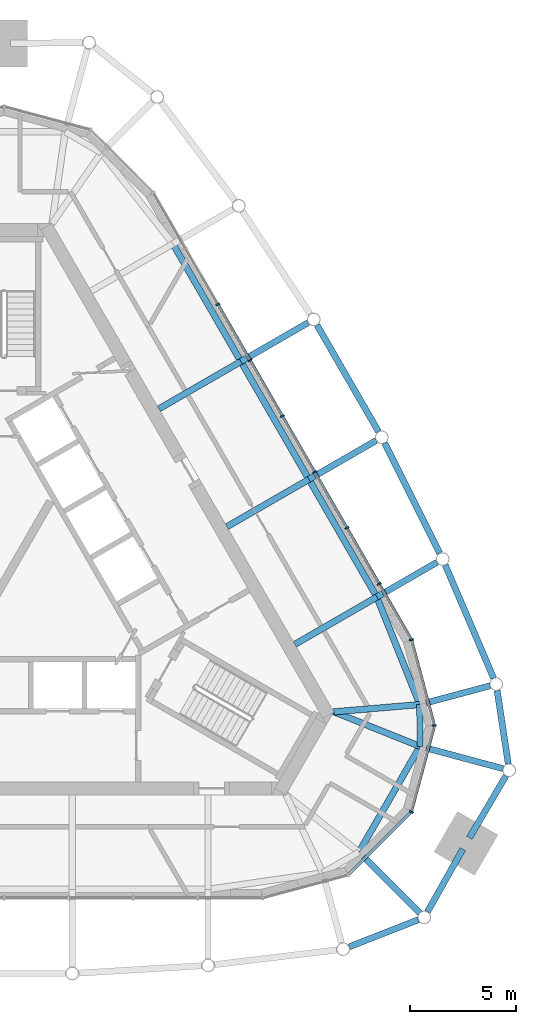
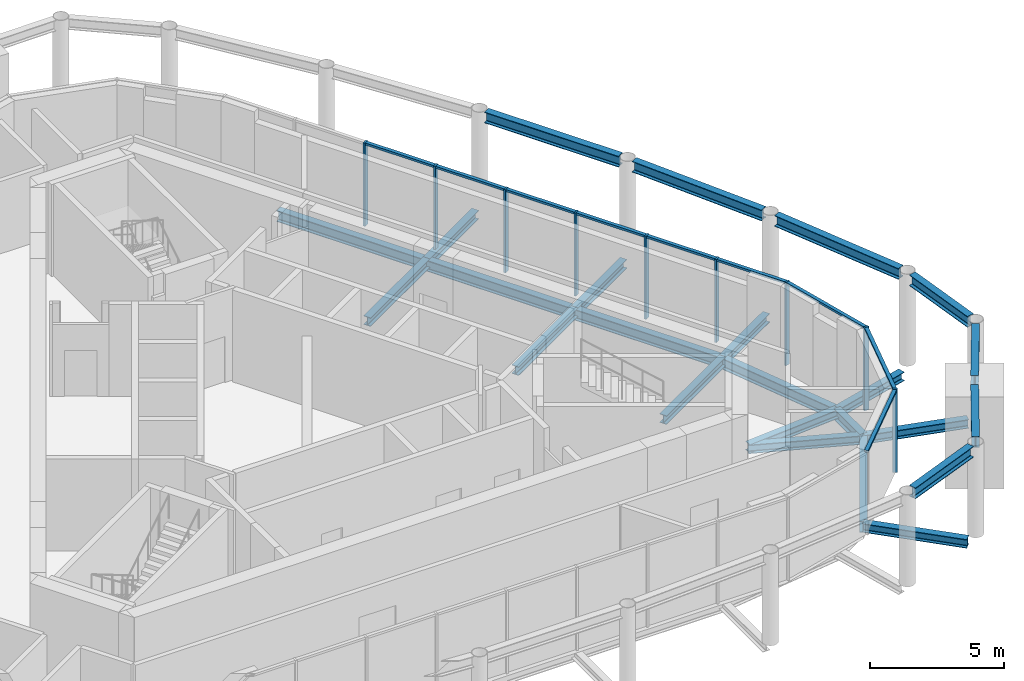
# One storey, part 4 of 11: 24 beams, 18 members, 2 elements without a shape of their own.
"""IFC4 building model written with IfcOpenShell, lengths in metres."""

from ifc_helpers import new_model, si_unit, direction, frame, origin, origin_2d, place, context, subcontext, project, spatial, rectangle, i_section, extrude, material, material_profile, profile_set, type_object, element, aggregate, save


model = new_model("IFC4")

# Units and contexts
model_context = context("Model", 3, precision=1e-05, world=origin(), true_north=direction((0.0, 1.0)))
body_context = subcontext(model_context, "Body", "Model", "MODEL_VIEW")
ifc_project = project(units=[si_unit("LENGTHUNIT", "METRE"), si_unit("AREAUNIT", "SQUARE_METRE"), si_unit("VOLUMEUNIT", "CUBIC_METRE"), si_unit("PLANEANGLEUNIT", "RADIAN"), si_unit("MASSUNIT", "GRAM", prefix="KILO")], contexts=[model_context])

# Site, building, storey
site_placement = place(None, origin())
site = spatial("IfcSite", under=ifc_project, at=site_placement, CompositionType="ELEMENT")
building_placement = place(site_placement, origin())
building = spatial("IfcBuilding", under=site, at=building_placement, Name="Mestral Congress Tower", CompositionType="ELEMENT")
storey_placement = place(building_placement, frame((0.0, 0.0, 344.39990234375)))
storey = spatial("IfcBuildingStorey", under=building, at=storey_placement, Name="L80", CompositionType="ELEMENT", Elevation=344.39990234375)

# Curtain wall, members
ifc_material_1 = material(Name="Glazed ceramic", Category="masonry")
curtain_wall_type = type_object("IfcCurtainWallType", Name="Facade plant louvre screen", PredefinedType="USERDEFINED", material=ifc_material_1)
placement = place(storey_placement, origin())
curtain_wall_1 = element("IfcCurtainWall", 1, at=placement, inside=storey, type_object=curtain_wall_type, Name="Plant louvre screen corner 1", ObjectType="CURTAIN WALL", PredefinedType="USERDEFINED")
ifc_material_2 = material(Name="Anodised aluminium", Category="aluminium")
ifc_material_profile_1 = material_profile(ifc_material_2, rectangle(XDim=0.199951171875, YDim=0.080078125, at=origin_2d()), Name="CW6 mullion 200 x 80")
ifc_profile_set_1 = profile_set([ifc_material_profile_1], Name="Anodised aluminium")
member_type_1 = type_object("IfcMemberType", Name="Facade plant louvre screen mullion", PredefinedType="MULLION", material=ifc_profile_set_1)
member_1_placement = place(storey_placement, frame((19.142333984375, -11.0517578125, 0.0), z_axis=(0.0, 0.0, 1.0), x_axis=(0.866025403784, -0.5, 0.0)))
member_1 = element("IfcMember", 2, at=member_1_placement, type_object=member_type_1, Name="Facade plant louvre screen mullion", PredefinedType="MULLION", context=body_context, shape_type="SweptSolid", body=[
    extrude(rectangle(XDim=0.199951171875, YDim=0.080078125, at=origin_2d()), origin(), (0.0, 0.0, 1.0), 3.800048828125),
])
member_2_placement = place(storey_placement, frame((20.227783203125, -7.0, 0.0), z_axis=(0.0, 0.0, 1.0), x_axis=(1.0, 0.0, 0.0)))
member_2 = element("IfcMember", 3, at=member_2_placement, type_object=member_type_1, Name="Facade plant louvre screen mullion", PredefinedType="MULLION", context=body_context, shape_type="SweptSolid", body=[
    extrude(rectangle(XDim=0.199951171875, YDim=0.080078125, at=origin_2d()), origin(), (0.0, 0.0, 1.0), 3.800048828125),
])
member_3_placement = place(storey_placement, frame((19.145751953125, -2.96142578125, 0.0), z_axis=(0.0, 0.0, 1.0), x_axis=(0.965925826289, 0.258819045103, 0.0)))
member_3 = element("IfcMember", 4, at=member_3_placement, type_object=member_type_1, Name="Facade plant louvre screen mullion", PredefinedType="MULLION", context=body_context, shape_type="SweptSolid", body=[
    extrude(rectangle(XDim=0.199951171875, YDim=0.080078125, at=origin_2d()), origin(), (0.0, 0.0, 1.0), 3.800048828125),
])

curtain_wall_2 = element("IfcCurtainWall", 5, at=placement, inside=storey, type_object=curtain_wall_type, Name="Plant louvre screen side 2", ObjectType="CURTAIN WALL", PredefinedType="USERDEFINED")
member_4_placement = place(storey_placement, frame((17.628662109375, -0.33349609375, 0.0), z_axis=(0.0, 0.0, 1.0), x_axis=(0.866024531118, 0.500001511499, 0.0)))
member_4 = element("IfcMember", 6, at=member_4_placement, type_object=member_type_1, Name="Facade plant louvre screen mullion", PredefinedType="MULLION", context=body_context, shape_type="SweptSolid", body=[
    extrude(rectangle(XDim=0.199951171875, YDim=0.080078125, at=origin_2d()), origin(), (0.0, 0.0, 1.0), 3.800048828125),
])
member_5_placement = place(storey_placement, frame((16.111328125, 2.294189453125, 0.0), z_axis=(0.0, 0.0, 1.0), x_axis=(0.866024531118, 0.500001511499, 0.0)))
member_5 = element("IfcMember", 7, at=member_5_placement, type_object=member_type_1, Name="Facade plant louvre screen mullion", PredefinedType="MULLION", context=body_context, shape_type="SweptSolid", body=[
    extrude(rectangle(XDim=0.199951171875, YDim=0.080078125, at=origin_2d()), origin(), (0.0, 0.0, 1.0), 3.800048828125),
])
member_6_placement = place(storey_placement, frame((14.59423828125, 4.922119140625, 0.0), z_axis=(0.0, 0.0, 1.0), x_axis=(0.866024531118, 0.500001511499, 0.0)))
member_6 = element("IfcMember", 8, at=member_6_placement, type_object=member_type_1, Name="Facade plant louvre screen mullion", PredefinedType="MULLION", context=body_context, shape_type="SweptSolid", body=[
    extrude(rectangle(XDim=0.199951171875, YDim=0.080078125, at=origin_2d()), origin(), (0.0, 0.0, 1.0), 3.800048828125),
])
member_7_placement = place(storey_placement, frame((13.076904296875, 7.550048828125, 0.0), z_axis=(0.0, 0.0, 1.0), x_axis=(0.866024531118, 0.500001511499, 0.0)))
member_7 = element("IfcMember", 9, at=member_7_placement, type_object=member_type_1, Name="Facade plant louvre screen mullion", PredefinedType="MULLION", context=body_context, shape_type="SweptSolid", body=[
    extrude(rectangle(XDim=0.199951171875, YDim=0.080078125, at=origin_2d()), origin(), (0.0, 0.0, 1.0), 3.800048828125),
])
member_8_placement = place(storey_placement, frame((11.559814453125, 10.177978515625, 0.0), z_axis=(0.0, 0.0, 1.0), x_axis=(0.866024531118, 0.500001511499, 0.0)))
member_8 = element("IfcMember", 10, at=member_8_placement, type_object=member_type_1, Name="Facade plant louvre screen mullion", PredefinedType="MULLION", context=body_context, shape_type="SweptSolid", body=[
    extrude(rectangle(XDim=0.199951171875, YDim=0.080078125, at=origin_2d()), origin(), (0.0, 0.0, 1.0), 3.800048828125),
])
member_9_placement = place(storey_placement, frame((10.04248046875, 12.8056640625, 0.0), z_axis=(0.0, 0.0, 1.0), x_axis=(0.866024531118, 0.500001511499, 0.0)))
member_9 = element("IfcMember", 11, at=member_9_placement, type_object=member_type_1, Name="Facade plant louvre screen mullion", PredefinedType="MULLION", context=body_context, shape_type="SweptSolid", body=[
    extrude(rectangle(XDim=0.199951171875, YDim=0.080078125, at=origin_2d()), origin(), (0.0, 0.0, 1.0), 3.800048828125),
])

# Member
ifc_material_profile_2 = material_profile(ifc_material_2, rectangle(XDim=0.14990234375, YDim=0.10009765625, at=origin_2d()), Name="CW6 transom 150 x 100")
ifc_profile_set_2 = profile_set([ifc_material_profile_2], Name="Anodised aluminium")
member_type_2 = type_object("IfcMemberType", Name="Facade plant louvre screen transom", PredefinedType="USERDEFINED", material=ifc_profile_set_2)
member_10_placement = place(storey_placement, frame((16.204345703125, -13.989501953125, 3.75), z_axis=(0.707136447306, 0.707077113823, 0.0), x_axis=(-0.707077113823, 0.707136447306, 0.0)))
member_10 = element("IfcMember", 12, at=member_10_placement, type_object=member_type_2, Name="Facade plant louvre screen transom", ObjectType="TRANSOM", PredefinedType="USERDEFINED", context=body_context, shape_type="SweptSolid", body=[
    extrude(rectangle(XDim=0.14990234375, YDim=0.10009765625, at=origin_2d()), origin(), (0.0, 0.0, 1.0), 4.11474609375),
])

member_11_placement = place(storey_placement, frame((19.152587890625, -11.01318359375, 3.75), z_axis=(0.258807262034, 0.965928983476, 0.0), x_axis=(-0.965928983476, 0.258807262034, 0.0)))
member_11 = element("IfcMember", 13, at=member_11_placement, type_object=member_type_2, Name="Facade plant louvre screen transom", ObjectType="TRANSOM", PredefinedType="USERDEFINED", context=body_context, shape_type="SweptSolid", body=[
    extrude(rectangle(XDim=0.14990234375, YDim=0.10009765625, at=origin_2d()), origin(), (0.0, 0.0, 1.0), 4.11474609375),
])

member_12_placement = place(storey_placement, frame((20.217529296875, -6.96142578125, 3.75), z_axis=(-0.258833286133, 0.965922010304, 0.0), x_axis=(-0.965922010304, -0.258833286133, 0.0)))
member_12 = element("IfcMember", 14, at=member_12_placement, type_object=member_type_2, Name="Facade plant louvre screen transom", ObjectType="TRANSOM", PredefinedType="USERDEFINED", context=body_context, shape_type="SweptSolid", body=[
    extrude(rectangle(XDim=0.14990234375, YDim=0.10009765625, at=origin_2d()), origin(), (0.0, 0.0, 1.0), 4.10107421875),
])

aggregate(curtain_wall_1, [member_1, member_2, member_3, member_10, member_11, member_12])

member_13_placement = place(storey_placement, frame((19.125732421875, -2.9267578125, 3.75), z_axis=(-0.499960902066, 0.86604797581, 0.0), x_axis=(-0.86604797581, -0.499960902066, 0.0)))
member_13 = element("IfcMember", 15, at=member_13_placement, type_object=member_type_2, Name="Facade plant louvre screen transom", ObjectType="TRANSOM", PredefinedType="USERDEFINED", context=body_context, shape_type="SweptSolid", body=[
    extrude(rectangle(XDim=0.14990234375, YDim=0.10009765625, at=origin_2d()), origin(), (0.0, 0.0, 1.0), 2.954345703125),
])

member_14_placement = place(storey_placement, frame((17.608642578125, -0.298828125, 3.75), z_axis=(-0.50002288008, 0.866012193561, 0.0), x_axis=(-0.866012193561, -0.50002288008, 0.0)))
member_14 = element("IfcMember", 16, at=member_14_placement, type_object=member_type_2, Name="Facade plant louvre screen transom", ObjectType="TRANSOM", PredefinedType="USERDEFINED", context=body_context, shape_type="SweptSolid", body=[
    extrude(rectangle(XDim=0.14990234375, YDim=0.10009765625, at=origin_2d()), origin(), (0.0, 0.0, 1.0), 2.954345703125),
])

member_15_placement = place(storey_placement, frame((16.09130859375, 2.328857421875, 3.75), z_axis=(-0.499960902066, 0.86604797581, 0.0), x_axis=(-0.86604797581, -0.499960902066, 0.0)))
member_15 = element("IfcMember", 17, at=member_15_placement, type_object=member_type_2, Name="Facade plant louvre screen transom", ObjectType="TRANSOM", PredefinedType="USERDEFINED", context=body_context, shape_type="SweptSolid", body=[
    extrude(rectangle(XDim=0.14990234375, YDim=0.10009765625, at=origin_2d()), origin(), (0.0, 0.0, 1.0), 2.954345703125),
])

member_16_placement = place(storey_placement, frame((14.57421875, 4.956787109375, 3.75), z_axis=(-0.50002288008, 0.866012193561, 0.0), x_axis=(-0.866012193561, -0.50002288008, 0.0)))
member_16 = element("IfcMember", 18, at=member_16_placement, type_object=member_type_2, Name="Facade plant louvre screen transom", ObjectType="TRANSOM", PredefinedType="USERDEFINED", context=body_context, shape_type="SweptSolid", body=[
    extrude(rectangle(XDim=0.14990234375, YDim=0.10009765625, at=origin_2d()), origin(), (0.0, 0.0, 1.0), 2.954345703125),
])

member_17_placement = place(storey_placement, frame((13.056884765625, 7.584716796875, 3.75), z_axis=(-0.499960902066, 0.86604797581, 0.0), x_axis=(-0.86604797581, -0.499960902066, 0.0)))
member_17 = element("IfcMember", 19, at=member_17_placement, type_object=member_type_2, Name="Facade plant louvre screen transom", ObjectType="TRANSOM", PredefinedType="USERDEFINED", context=body_context, shape_type="SweptSolid", body=[
    extrude(rectangle(XDim=0.14990234375, YDim=0.10009765625, at=origin_2d()), origin(), (0.0, 0.0, 1.0), 2.954345703125),
])

member_18_placement = place(storey_placement, frame((11.539794921875, 10.21240234375, 3.75), z_axis=(-0.50002288008, 0.866012193561, 0.0), x_axis=(-0.866012193561, -0.50002288008, 0.0)))
member_18 = element("IfcMember", 20, at=member_18_placement, type_object=member_type_2, Name="Facade plant louvre screen transom", ObjectType="TRANSOM", PredefinedType="USERDEFINED", context=body_context, shape_type="SweptSolid", body=[
    extrude(rectangle(XDim=0.14990234375, YDim=0.10009765625, at=origin_2d()), origin(), (0.0, 0.0, 1.0), 2.954345703125),
])

aggregate(curtain_wall_2, [member_4, member_5, member_6, member_7, member_8, member_9, member_13, member_14, member_15, member_16, member_17, member_18])

# Beams
ifc_material_3 = material(Name="Steel S355", Category="steel")
ifc_material_profile_3 = material_profile(ifc_material_3, i_section(OverallWidth=0.300048828125, OverallDepth=0.39990234375, WebThickness=0.013427734375, FlangeThickness=0.02392578125, FilletRadius=0.027099609375, at=origin_2d()), Name="HEB 400")
ifc_profile_set_3 = profile_set([ifc_material_profile_3], Name="Steel S355")
beam_type_1 = type_object("IfcBeamType", Name="Floor beam HEB 400 S355", PredefinedType="BEAM", material=ifc_profile_set_3)
for number, where, z_axis, x_axis, name in (
    (21, (7.277099609375, 7.89599609375, -0.449951171875), (0.866036664382, 0.499980495566, 0.0), (-0.499980495566, 0.866036664382, 0.0), "BM-L80-KR17"),
    (22, (10.4765625, 2.35400390625, -0.449951171875), (0.866012907634, 0.500021643343, 0.0), (-0.500021643343, 0.866012907634, 0.0), "BM-L80-KR18"),
    (23, (13.67041015625, -3.177734375, -0.449951171875), (0.866012907634, 0.500021643343, 0.0), (-0.500021643343, 0.866012907634, 0.0), "BM-L80-KR19"),
):
    element("IfcBeam", number, at=place(storey_placement, frame(where, z_axis=z_axis, x_axis=x_axis)), inside=storey, type_object=beam_type_1, Name=name, PredefinedType="BEAM", context=body_context, shape_type="SweptSolid", body=[
        extrude(i_section(OverallWidth=0.300048828125, OverallDepth=0.39990234375, WebThickness=0.013427734375, FlangeThickness=0.02392578125, FilletRadius=0.027099609375, at=origin_2d()), origin(), (0.0, 0.0, 1.0), 4.449951171875),
    ])
beam_1_placement = place(storey_placement, frame((15.501953125, -6.35009765625, -0.449951171875), z_axis=(0.996497077205, 0.083627597852, 0.0), x_axis=(-0.083627597852, 0.996497077205, 0.0)))
element("IfcBeam", 24, at=beam_1_placement, inside=storey, type_object=beam_type_1, Name="BM-L80-KR20", PredefinedType="BEAM", context=body_context, shape_type="SweptSolid", body=[
    extrude(i_section(OverallWidth=0.300048828125, OverallDepth=0.39990234375, WebThickness=0.013427734375, FlangeThickness=0.02392578125, FilletRadius=0.027099609375, at=origin_2d()), origin(), (0.0, 0.0, 1.0), 4.060791015625),
])
beam_2_placement = place(storey_placement, frame((15.501953125, -6.35009765625, -0.449951171875), z_axis=(0.928078801871, -0.372383857757, 0.0), x_axis=(0.372383857757, 0.928078801871, 0.0)))
element("IfcBeam", 25, at=beam_2_placement, inside=storey, type_object=beam_type_1, Name="BM-L80-KR21", PredefinedType="BEAM", context=body_context, shape_type="SweptSolid", body=[
    extrude(i_section(OverallWidth=0.300048828125, OverallDepth=0.39990234375, WebThickness=0.013427734375, FlangeThickness=0.02392578125, FilletRadius=0.027099609375, at=origin_2d()), origin(), (0.0, 0.0, 1.0), 4.364501953125),
])
beam_3_placement = place(storey_placement, frame((14.2919921875, 11.946044921875, -0.449951171875), z_axis=(-0.866011828767, -0.500023511883, 0.0), x_axis=(0.500023511883, -0.866011828767, 0.0)))
element("IfcBeam", 26, at=beam_3_placement, inside=storey, type_object=beam_type_1, Name="BM-L80-KT-C5-E03", PredefinedType="BEAM", context=body_context, shape_type="SweptSolid", body=[
    extrude(i_section(OverallWidth=0.300048828125, OverallDepth=0.39990234375, WebThickness=0.013427734375, FlangeThickness=0.02392578125, FilletRadius=0.027099609375, at=origin_2d()), origin(), (0.0, 0.0, 1.0), 3.650146484375),
])
beam_4_placement = place(storey_placement, frame((17.49169921875, 6.404296875, -0.449951171875), z_axis=(-0.866028549844, -0.499994550825, 0.0), x_axis=(0.499994550825, -0.866028549844, 0.0)))
element("IfcBeam", 27, at=beam_4_placement, inside=storey, type_object=beam_type_1, Name="BM-L80-KT-C5-E02", PredefinedType="BEAM", context=body_context, shape_type="SweptSolid", body=[
    extrude(i_section(OverallWidth=0.300048828125, OverallDepth=0.39990234375, WebThickness=0.013427734375, FlangeThickness=0.02392578125, FilletRadius=0.027099609375, at=origin_2d()), origin(), (0.0, 0.0, 1.0), 3.650390625),
])
beam_5_placement = place(storey_placement, frame((20.35498046875, 0.681640625, -0.449951171875), z_axis=(-0.86603757612, -0.499978916304, 0.0), x_axis=(0.499978916304, -0.86603757612, 0.0)))
element("IfcBeam", 28, at=beam_5_placement, inside=storey, type_object=beam_type_1, Name="BM-L80-KT-C5-E01", PredefinedType="BEAM", context=body_context, shape_type="SweptSolid", body=[
    extrude(i_section(OverallWidth=0.300048828125, OverallDepth=0.39990234375, WebThickness=0.013427734375, FlangeThickness=0.02392578125, FilletRadius=0.027099609375, at=origin_2d()), origin(), (0.0, 0.0, 1.0), 3.268798828125),
])
beam_6_placement = place(storey_placement, frame((22.841552734375, -5.1279296875, -0.449951171875), z_axis=(-0.965909688455, -0.258879264811, 0.0), x_axis=(0.258879264811, -0.965909688455, 0.0)))
element("IfcBeam", 29, at=beam_6_placement, inside=storey, type_object=beam_type_1, Name="BM-L80-KT-C5-E00", PredefinedType="BEAM", context=body_context, shape_type="SweptSolid", body=[
    extrude(i_section(OverallWidth=0.300048828125, OverallDepth=0.39990234375, WebThickness=0.013427734375, FlangeThickness=0.02392578125, FilletRadius=0.027099609375, at=origin_2d()), origin(), (0.0, 0.0, 1.0), 3.4091796875),
])
beam_7_placement = place(storey_placement, frame((23.453369140625, -9.0205078125, -0.449951171875), z_axis=(-0.965930242246, 0.258802563966, 0.0), x_axis=(-0.258802563966, -0.965930242246, 0.0)))
element("IfcBeam", 30, at=beam_7_placement, inside=storey, type_object=beam_type_1, Name="BM-L80-KT-C5-SE3", PredefinedType="BEAM", context=body_context, shape_type="SweptSolid", body=[
    extrude(i_section(OverallWidth=0.300048828125, OverallDepth=0.39990234375, WebThickness=0.013427734375, FlangeThickness=0.02392578125, FilletRadius=0.027099609375, at=origin_2d()), origin(), (0.0, 0.0, 1.0), 4.03857421875),
])
beam_8_placement = place(storey_placement, frame((19.538818359375, -15.80078125, -0.449951171875), z_axis=(-0.707137007821, 0.70707655326, 0.0), x_axis=(-0.70707655326, -0.707137007821, 0.0)))
element("IfcBeam", 31, at=beam_8_placement, inside=storey, type_object=beam_type_1, Name="BM-L80-KT-C5-SE1", PredefinedType="BEAM", context=body_context, shape_type="SweptSolid", body=[
    extrude(i_section(OverallWidth=0.300048828125, OverallDepth=0.39990234375, WebThickness=0.013427734375, FlangeThickness=0.02392578125, FilletRadius=0.027099609375, at=origin_2d()), origin(), (0.0, 0.0, 1.0), 4.038330078125),
])
ifc_material_profile_4 = material_profile(ifc_material_3, i_section(OverallWidth=0.300048828125, OverallDepth=0.5, WebThickness=0.014404296875, FlangeThickness=0.028076171875, FilletRadius=0.027099609375, at=origin_2d()), Name="HEB 500")
ifc_profile_set_4 = profile_set([ifc_material_profile_4], Name="Steel S355")
beam_type_2 = type_object("IfcBeamType", Name="Floor beam HEB 500 S355", PredefinedType="BEAM", material=ifc_profile_set_4)
beam_9_placement = place(storey_placement, frame((7.93701171875, 15.652587890625, -0.5), z_axis=(0.500011397576, -0.866018823291, 0.0), x_axis=(0.866018823291, 0.500011397576, 0.0)))
element("IfcBeam", 32, at=beam_9_placement, inside=storey, type_object=beam_type_2, Name="BM-L80-KG16", PredefinedType="BEAM", context=body_context, shape_type="SweptSolid", body=[
    extrude(i_section(OverallWidth=0.300048828125, OverallDepth=0.5, WebThickness=0.014404296875, FlangeThickness=0.028076171875, FilletRadius=0.027099609375, at=origin_2d()), origin(), (0.0, 0.0, 1.0), 6.387451171875),
])
beam_10_placement = place(storey_placement, frame((11.130859375, 10.120849609375, -0.5), z_axis=(0.499992166441, -0.866029926444, 0.0), x_axis=(0.866029926444, 0.499992166441, 0.0)))
element("IfcBeam", 33, at=beam_10_placement, inside=storey, type_object=beam_type_2, Name="BM-L80-KG17", PredefinedType="BEAM", context=body_context, shape_type="SweptSolid", body=[
    extrude(i_section(OverallWidth=0.300048828125, OverallDepth=0.5, WebThickness=0.014404296875, FlangeThickness=0.028076171875, FilletRadius=0.027099609375, at=origin_2d()), origin(), (0.0, 0.0, 1.0), 6.39892578125),
])
beam_11_placement = place(storey_placement, frame((14.330322265625, 4.5791015625, -0.5), z_axis=(0.500011397576, -0.866018823291, 0.0), x_axis=(0.866018823291, 0.500011397576, 0.0)))
element("IfcBeam", 34, at=beam_11_placement, inside=storey, type_object=beam_type_2, Name="BM-L80-KG18", PredefinedType="BEAM", context=body_context, shape_type="SweptSolid", body=[
    extrude(i_section(OverallWidth=0.300048828125, OverallDepth=0.5, WebThickness=0.014404296875, FlangeThickness=0.028076171875, FilletRadius=0.027099609375, at=origin_2d()), origin(), (0.0, 0.0, 1.0), 6.387451171875),
])
beam_12_placement = place(storey_placement, frame((17.524169921875, -0.95263671875, -0.5), z_axis=(0.37159155469, -0.928396314341, 0.0), x_axis=(0.928396314341, 0.37159155469, 0.0)))
element("IfcBeam", 35, at=beam_12_placement, inside=storey, type_object=beam_type_2, Name="BM-L80-KG19", PredefinedType="BEAM", context=body_context, shape_type="SweptSolid", body=[
    extrude(i_section(OverallWidth=0.300048828125, OverallDepth=0.5, WebThickness=0.014404296875, FlangeThickness=0.028076171875, FilletRadius=0.027099609375, at=origin_2d()), origin(), (0.0, 0.0, 1.0), 5.447998046875),
])
beam_13_placement = place(storey_placement, frame((19.548583984375, -6.010498046875, -0.5), z_axis=(0.001988067642, -0.999998023792, 0.0), x_axis=(0.999998023792, 0.001988067642, 0.0)))
element("IfcBeam", 36, at=beam_13_placement, inside=storey, type_object=beam_type_2, Name="BM-L80-KG20", PredefinedType="BEAM", context=body_context, shape_type="SweptSolid", body=[
    extrude(i_section(OverallWidth=0.300048828125, OverallDepth=0.5, WebThickness=0.014404296875, FlangeThickness=0.028076171875, FilletRadius=0.027099609375, at=origin_2d()), origin(), (0.0, 0.0, 1.0), 1.96484375),
])
beam_14_placement = place(storey_placement, frame((19.552490234375, -7.975341796875, -0.5), z_axis=(-0.499996189405, -0.866027603821, 0.0), x_axis=(0.866027603821, -0.499996189405, 0.0)))
element("IfcBeam", 37, at=beam_14_placement, inside=storey, type_object=beam_type_2, Name="BM-L80-KG21", PredefinedType="BEAM", context=body_context, shape_type="SweptSolid", body=[
    extrude(i_section(OverallWidth=0.300048828125, OverallDepth=0.5, WebThickness=0.014404296875, FlangeThickness=0.028076171875, FilletRadius=0.027099609375, at=origin_2d()), origin(), (0.0, 0.0, 1.0), 5.73876953125),
])
beam_15_placement = place(storey_placement, frame((16.224609375, -17.400634765625, 3.9501953125), z_axis=(0.930990464673, 0.36504349698, 0.0), x_axis=(-0.36504349698, 0.930990464673, 0.0)))
element("IfcBeam", 38, at=beam_15_placement, inside=storey, type_object=beam_type_2, Name="BM-L80-KRIM05", PredefinedType="BEAM", context=body_context, shape_type="SweptSolid", body=[
    extrude(i_section(OverallWidth=0.300048828125, OverallDepth=0.5, WebThickness=0.014404296875, FlangeThickness=0.028076171875, FilletRadius=0.027099609375, at=origin_2d()), origin(), (0.0, 0.0, 1.0), 3.486328125),
])
beam_16_placement = place(storey_placement, frame((19.904296875, -15.7509765625, 3.9501953125), z_axis=(0.491726741214, 0.870749569035, 0.0), x_axis=(-0.870749569035, 0.491726741214, 0.0)))
element("IfcBeam", 39, at=beam_16_placement, inside=storey, type_object=beam_type_2, Name="BM-L80-KRIM06", PredefinedType="BEAM", context=body_context, shape_type="SweptSolid", body=[
    extrude(i_section(OverallWidth=0.300048828125, OverallDepth=0.5, WebThickness=0.014404296875, FlangeThickness=0.028076171875, FilletRadius=0.027099609375, at=origin_2d()), origin(), (0.0, 0.0, 1.0), 3.383544921875),
])
beam_17_placement = place(storey_placement, frame((21.873291015625, -12.2763671875, 3.9501953125), z_axis=(0.508243057153, 0.861213675493, 0.0), x_axis=(-0.861213675493, 0.508243057153, 0.0)))
element("IfcBeam", 40, at=beam_17_placement, inside=storey, type_object=beam_type_2, Name="BM-L80-KRIM07", PredefinedType="BEAM", context=body_context, shape_type="SweptSolid", body=[
    extrude(i_section(OverallWidth=0.300048828125, OverallDepth=0.5, WebThickness=0.014404296875, FlangeThickness=0.028076171875, FilletRadius=0.027099609375, at=origin_2d()), origin(), (0.0, 0.0, 1.0), 3.3837890625),
])
beam_18_placement = place(storey_placement, frame((23.702392578125, -8.7978515625, 3.9501953125), z_axis=(-0.149367664353, 0.988781725582, 0.0), x_axis=(-0.988781725582, -0.149367664353, 0.0)))
element("IfcBeam", 41, at=beam_18_placement, inside=storey, type_object=beam_type_2, Name="BM-L80-KRIM08", PredefinedType="BEAM", context=body_context, shape_type="SweptSolid", body=[
    extrude(i_section(OverallWidth=0.300048828125, OverallDepth=0.5, WebThickness=0.014404296875, FlangeThickness=0.028076171875, FilletRadius=0.027099609375, at=origin_2d()), origin(), (0.0, 0.0, 1.0), 3.486328125),
])
beam_19_placement = place(storey_placement, frame((23.01611328125, -4.768798828125, 3.9501953125), z_axis=(-0.393338990437, 0.919393516728, 0.0), x_axis=(-0.919393516728, -0.393338990437, 0.0)))
element("IfcBeam", 42, at=beam_19_placement, inside=storey, type_object=beam_type_2, Name="BM-L80-KRIM09", PredefinedType="BEAM", context=body_context, shape_type="SweptSolid", body=[
    extrude(i_section(OverallWidth=0.300048828125, OverallDepth=0.5, WebThickness=0.014404296875, FlangeThickness=0.028076171875, FilletRadius=0.027099609375, at=origin_2d()), origin(), (0.0, 0.0, 1.0), 5.7890625),
])
beam_20_placement = place(storey_placement, frame((20.482421875, 1.10693359375, 3.9501953125), z_axis=(-0.447466621875, 0.894300633069, 0.0), x_axis=(-0.894300633069, -0.447466621875, 0.0)))
element("IfcBeam", 43, at=beam_20_placement, inside=storey, type_object=beam_type_2, Name="BM-L80-KRIM10", PredefinedType="BEAM", context=body_context, shape_type="SweptSolid", body=[
    extrude(i_section(OverallWidth=0.300048828125, OverallDepth=0.5, WebThickness=0.014404296875, FlangeThickness=0.028076171875, FilletRadius=0.027099609375, at=origin_2d()), origin(), (0.0, 0.0, 1.0), 5.788818359375),
])
beam_21_placement = place(storey_placement, frame((17.603271484375, 6.82080078125, 3.9501953125), z_axis=(-0.500016916811, 0.866015636639, 0.0), x_axis=(-0.866015636639, -0.500016916811, 0.0)))
element("IfcBeam", 44, at=beam_21_placement, inside=storey, type_object=beam_type_2, Name="BM-L80-KRIM11", PredefinedType="BEAM", context=body_context, shape_type="SweptSolid", body=[
    extrude(i_section(OverallWidth=0.300048828125, OverallDepth=0.5, WebThickness=0.014404296875, FlangeThickness=0.028076171875, FilletRadius=0.027099609375, at=origin_2d()), origin(), (0.0, 0.0, 1.0), 5.789306640625),
])

save(model, "model.ifc")
